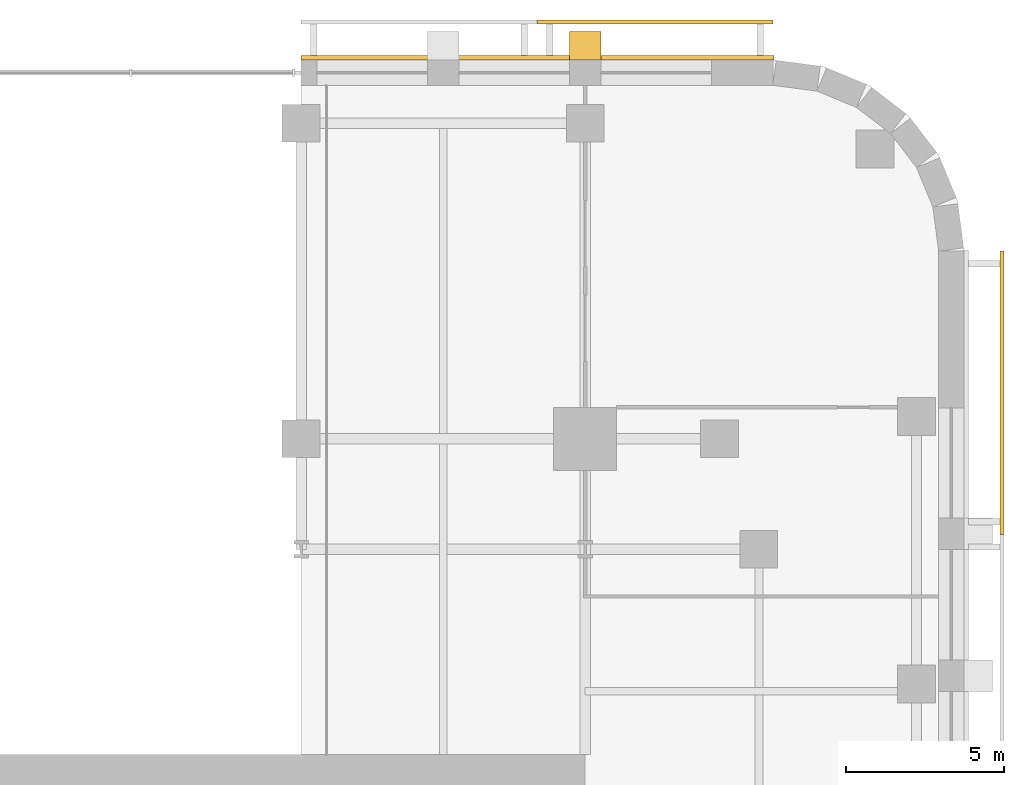
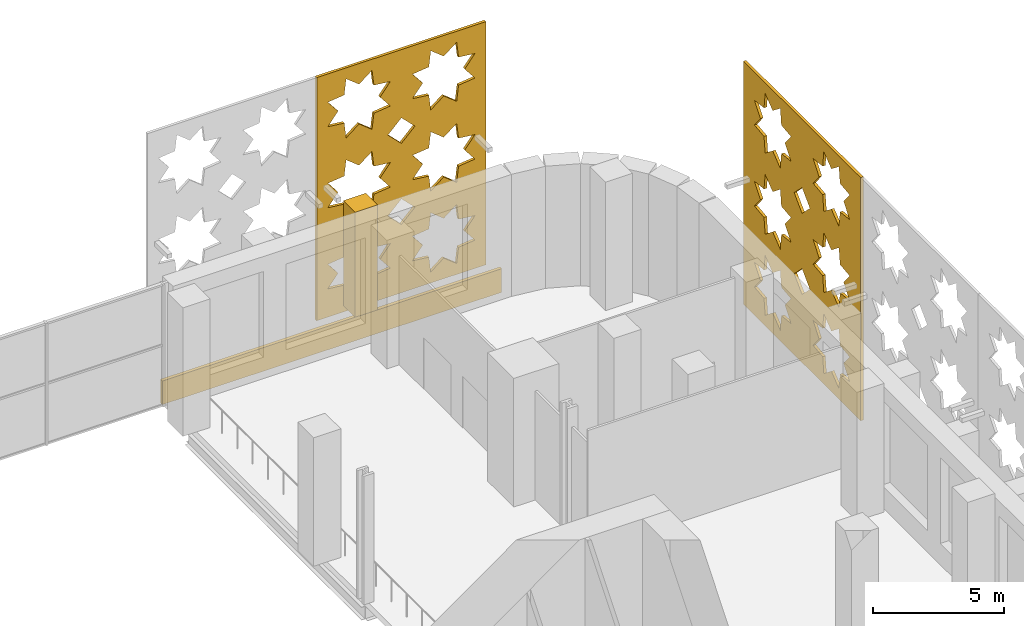
# One storey, part 17 of 17: 4 coverings.
"""IFC4 building model written with IfcOpenShell, lengths in metres."""

from ifc_helpers import new_model, si_unit, direction, frame, origin, place, context, subcontext, project, spatial, polyline, outline, extrude, material, layer, layer_set, type_object, element, save


model = new_model("IFC4")

# Units and contexts
model_context = context("Model", 3, precision=1e-05, world=origin(), true_north=direction((0.0, 1.0)))
body_context = subcontext(model_context, "Body", "Model", "MODEL_VIEW")
ifc_project = project(units=[si_unit("LENGTHUNIT", "METRE"), si_unit("AREAUNIT", "SQUARE_METRE"), si_unit("VOLUMEUNIT", "CUBIC_METRE"), si_unit("PLANEANGLEUNIT", "RADIAN"), si_unit("MASSUNIT", "GRAM", prefix="KILO")], contexts=[model_context])

# Site, building, storey
site_placement = place(None, origin())
site = spatial("IfcSite", under=ifc_project, at=site_placement, CompositionType="ELEMENT")
building_placement = place(site_placement, origin())
building = spatial("IfcBuilding", under=site, at=building_placement, Name="Zellij Exchange Tower", CompositionType="ELEMENT")
storey_placement = place(building_placement, frame((0.0, 0.0, 9.0)))
storey = spatial("IfcBuildingStorey", under=building, at=storey_placement, Name="L01", CompositionType="ELEMENT", Elevation=9.0)

# Coverings
ifc_material_1 = material(Name="Limestone cladding", Category="masonry")
ifc_layer_1 = layer(ifc_material_1, 0.14990234375)
ifc_layer_set_1 = layer_set([ifc_layer_1], Name="Limestone cladding")
covering_type_1 = type_object("IfcCoveringType", Name="ENV-CV1 Stone spandrel band 150", PredefinedType="CLADDING", material=ifc_layer_set_1)
covering_1_placement = place(storey_placement, frame((0.0, 0.0, -0.300048828125)))
element("IfcCovering", 1, at=covering_1_placement, inside=storey, type_object=covering_type_1, Name="Stone spandrel band", PredefinedType="CLADDING", context=body_context, shape_type="SweptSolid", body=[
    extrude(outline(polyline([(32.973876953125, 20.0), (18.0, 20.0), (18.0, 20.14990234375), (32.983642578125, 20.14990234375), (32.973876953125, 20.0)])), origin(), (0.0, 0.0, 1.0), 1.10009765625),
])
covering_type_2 = type_object("IfcCoveringType", Name="ENV-CV2 Stone pier 1000x900", PredefinedType="CLADDING", material=ifc_material_1)
covering_2_placement = place(storey_placement, frame((0.0, 0.0, 0.800048828125)))
element("IfcCovering", 2, at=covering_2_placement, inside=storey, type_object=covering_type_2, Name="Stone pier", PredefinedType="CLADDING", context=body_context, shape_type="SweptSolid", body=[
    extrude(outline(polyline([(27.5, 20.0), (26.5, 20.0), (26.5, 20.89990234375), (27.5, 20.89990234375), (27.5, 20.0)])), origin(), (0.0, 0.0, 1.0), 4.89990234375),
])
ifc_material_2 = material(Name="Limestone screen", Category="masonry")
ifc_layer_2 = layer(ifc_material_2, 0.1201171875)
ifc_layer_set_2 = layer_set([ifc_layer_2], Name="Limestone screen")
covering_type_3 = type_object("IfcCoveringType", Name="ENV-SC1 Pierced stone screen 120", PredefinedType="USERDEFINED", material=ifc_layer_set_2)
covering_3_placement = place(storey_placement, frame((32.947509765625, 21.2099609375, 0.300048828125), z_axis=(0.0, 0.0, 1.0), x_axis=(-1.0, 0.0, 0.0)))
element("IfcCovering", 3, at=covering_3_placement, inside=storey, type_object=covering_type_3, Name="Pierced stone screen", ObjectType="SCREEN", PredefinedType="USERDEFINED", context=body_context, shape_type="SweptSolid", body=[
    extrude(outline(polyline([(0.0, 0.0), (7.473876953125, 0.0), (7.473876953125, 11.35009765625), (0.0, 11.35009765625), (0.0, 0.0)]), holes=[polyline([(3.24951171875, 2.463623046875), (2.523681640625, 2.547119140625), (2.4404296875, 3.272705078125), (1.868408203125, 2.818359375), (1.29638671875, 3.272705078125), (1.213134765625, 2.547119140625), (0.487548828125, 2.463623046875), (0.941650390625, 1.8916015625), (0.487548828125, 1.319580078125), (1.213134765625, 1.236328125), (1.29638671875, 0.5107421875), (1.868408203125, 0.96484375), (2.4404296875, 0.5107421875), (2.523681640625, 1.236328125), (3.24951171875, 1.319580078125), (2.795166015625, 1.8916015625), (3.24951171875, 2.463623046875)]), polyline([(3.24951171875, 6.2470703125), (2.523681640625, 6.330322265625), (2.4404296875, 7.055908203125), (1.868408203125, 6.601806640625), (1.29638671875, 7.055908203125), (1.213134765625, 6.330322265625), (0.487548828125, 6.2470703125), (0.941650390625, 5.675048828125), (0.487548828125, 5.10302734375), (1.213134765625, 5.019775390625), (1.29638671875, 4.2939453125), (1.868408203125, 4.748291015625), (2.4404296875, 4.2939453125), (2.523681640625, 5.019775390625), (3.24951171875, 5.10302734375), (2.795166015625, 5.675048828125), (3.24951171875, 6.2470703125)]), polyline([(3.24951171875, 10.030517578125), (2.523681640625, 10.113525390625), (2.4404296875, 10.83935546875), (1.868408203125, 10.385009765625), (1.29638671875, 10.83935546875), (1.213134765625, 10.113525390625), (0.487548828125, 10.030517578125), (0.941650390625, 9.458251953125), (0.487548828125, 8.88623046875), (1.213134765625, 8.802978515625), (1.29638671875, 8.077392578125), (1.868408203125, 8.531494140625), (2.4404296875, 8.077392578125), (2.523681640625, 8.802978515625), (3.24951171875, 8.88623046875), (2.795166015625, 9.458251953125), (3.24951171875, 10.030517578125)]), polyline([(6.986328125, 2.463623046875), (6.2607421875, 2.547119140625), (6.177490234375, 3.272705078125), (5.605224609375, 2.818359375), (5.033203125, 3.272705078125), (4.949951171875, 2.547119140625), (4.224365234375, 2.463623046875), (4.6787109375, 1.8916015625), (4.224365234375, 1.319580078125), (4.949951171875, 1.236328125), (5.033203125, 0.5107421875), (5.605224609375, 0.96484375), (6.177490234375, 0.5107421875), (6.2607421875, 1.236328125), (6.986328125, 1.319580078125), (6.531982421875, 1.8916015625), (6.986328125, 2.463623046875)]), polyline([(6.986328125, 6.2470703125), (6.2607421875, 6.330322265625), (6.177490234375, 7.055908203125), (5.605224609375, 6.601806640625), (5.033203125, 7.055908203125), (4.949951171875, 6.330322265625), (4.224365234375, 6.2470703125), (4.6787109375, 5.675048828125), (4.224365234375, 5.10302734375), (4.949951171875, 5.019775390625), (5.033203125, 4.2939453125), (5.605224609375, 4.748291015625), (6.177490234375, 4.2939453125), (6.2607421875, 5.019775390625), (6.986328125, 5.10302734375), (6.531982421875, 5.675048828125), (6.986328125, 6.2470703125)]), polyline([(6.986328125, 10.030517578125), (6.2607421875, 10.113525390625), (6.177490234375, 10.83935546875), (5.605224609375, 10.385009765625), (5.033203125, 10.83935546875), (4.949951171875, 10.113525390625), (4.224365234375, 10.030517578125), (4.6787109375, 9.458251953125), (4.224365234375, 8.88623046875), (4.949951171875, 8.802978515625), (5.033203125, 8.077392578125), (5.605224609375, 8.531494140625), (6.177490234375, 8.077392578125), (6.2607421875, 8.802978515625), (6.986328125, 8.88623046875), (6.531982421875, 9.458251953125), (6.986328125, 10.030517578125)]), polyline([(4.334716796875, 3.783203125), (3.73681640625, 4.381103515625), (3.138916015625, 3.783203125), (3.73681640625, 3.185302734375), (4.334716796875, 3.783203125)]), polyline([(4.334716796875, 7.566650390625), (3.73681640625, 8.16455078125), (3.138916015625, 7.566650390625), (3.73681640625, 6.96875), (4.334716796875, 7.566650390625)])]), frame((0.0, 0.06005859375, 0.0), z_axis=(0.0, -1.0, 0.0), x_axis=(1.0, 0.0, 0.0)), (0.0, 0.0, 1.0), 0.1201171875),
])
covering_4_placement = place(storey_placement, frame((40.2099609375, 4.973876953125, 0.300048828125), z_axis=(0.0, 0.0, 1.0), x_axis=(0.0, 1.0, 0.0)))
element("IfcCovering", 4, at=covering_4_placement, inside=storey, type_object=covering_type_3, Name="Pierced stone screen", ObjectType="SCREEN", PredefinedType="USERDEFINED", context=body_context, shape_type="SweptSolid", body=[
    extrude(outline(polyline([(0.0, 0.0), (8.973876953125, 0.0), (8.973876953125, 11.35009765625), (0.0, 11.35009765625), (0.0, 0.0)]), holes=[polyline([(3.6416015625, 2.470703125), (2.906982421875, 2.55517578125), (2.822509765625, 3.289794921875), (2.243408203125, 2.829833984375), (1.664306640625, 3.289794921875), (1.580078125, 2.55517578125), (0.84521484375, 2.470703125), (1.30517578125, 1.8916015625), (0.84521484375, 1.3125), (1.580078125, 1.228271484375), (1.664306640625, 0.493408203125), (2.243408203125, 0.953369140625), (2.822509765625, 0.493408203125), (2.906982421875, 1.228271484375), (3.6416015625, 1.3125), (3.181640625, 1.8916015625), (3.6416015625, 2.470703125)]), polyline([(3.6416015625, 6.254150390625), (2.906982421875, 6.33837890625), (2.822509765625, 7.072998046875), (2.243408203125, 6.61328125), (1.664306640625, 7.072998046875), (1.580078125, 6.33837890625), (0.84521484375, 6.254150390625), (1.30517578125, 5.675048828125), (0.84521484375, 5.095947265625), (1.580078125, 5.011474609375), (1.664306640625, 4.27685546875), (2.243408203125, 4.73681640625), (2.822509765625, 4.27685546875), (2.906982421875, 5.011474609375), (3.6416015625, 5.095947265625), (3.181640625, 5.675048828125), (3.6416015625, 6.254150390625)]), polyline([(3.6416015625, 10.03759765625), (2.906982421875, 10.121826171875), (2.822509765625, 10.8564453125), (2.243408203125, 10.396484375), (1.664306640625, 10.8564453125), (1.580078125, 10.121826171875), (0.84521484375, 10.03759765625), (1.30517578125, 9.458251953125), (0.84521484375, 8.879150390625), (1.580078125, 8.794921875), (1.664306640625, 8.060302734375), (2.243408203125, 8.52001953125), (2.822509765625, 8.060302734375), (2.906982421875, 8.794921875), (3.6416015625, 8.879150390625), (3.181640625, 9.458251953125), (3.6416015625, 10.03759765625)]), polyline([(8.12841796875, 2.470703125), (7.393798828125, 2.55517578125), (7.3095703125, 3.289794921875), (6.730224609375, 2.829833984375), (6.151123046875, 3.289794921875), (6.06689453125, 2.55517578125), (5.332275390625, 2.470703125), (5.7919921875, 1.8916015625), (5.332275390625, 1.3125), (6.06689453125, 1.228271484375), (6.151123046875, 0.493408203125), (6.730224609375, 0.953369140625), (7.3095703125, 0.493408203125), (7.393798828125, 1.228271484375), (8.12841796875, 1.3125), (7.668701171875, 1.8916015625), (8.12841796875, 2.470703125)]), polyline([(8.12841796875, 6.254150390625), (7.393798828125, 6.33837890625), (7.3095703125, 7.072998046875), (6.730224609375, 6.61328125), (6.151123046875, 7.072998046875), (6.06689453125, 6.33837890625), (5.332275390625, 6.254150390625), (5.7919921875, 5.675048828125), (5.332275390625, 5.095947265625), (6.06689453125, 5.011474609375), (6.151123046875, 4.27685546875), (6.730224609375, 4.73681640625), (7.3095703125, 4.27685546875), (7.393798828125, 5.011474609375), (8.12841796875, 5.095947265625), (7.668701171875, 5.675048828125), (8.12841796875, 6.254150390625)]), polyline([(8.12841796875, 10.03759765625), (7.393798828125, 10.121826171875), (7.3095703125, 10.8564453125), (6.730224609375, 10.396484375), (6.151123046875, 10.8564453125), (6.06689453125, 10.121826171875), (5.332275390625, 10.03759765625), (5.7919921875, 9.458251953125), (5.332275390625, 8.879150390625), (6.06689453125, 8.794921875), (6.151123046875, 8.060302734375), (6.730224609375, 8.52001953125), (7.3095703125, 8.060302734375), (7.393798828125, 8.794921875), (8.12841796875, 8.879150390625), (7.668701171875, 9.458251953125), (8.12841796875, 10.03759765625)]), polyline([(5.09228515625, 3.783203125), (4.48681640625, 4.388671875), (3.881591796875, 3.783203125), (4.48681640625, 3.177978515625), (5.09228515625, 3.783203125)]), polyline([(5.09228515625, 7.566650390625), (4.48681640625, 8.172119140625), (3.881591796875, 7.566650390625), (4.48681640625, 6.961181640625), (5.09228515625, 7.566650390625)])]), frame((0.0, 0.06005859375, 0.0), z_axis=(0.0, -1.0, 0.0), x_axis=(1.0, 0.0, 0.0)), (0.0, 0.0, 1.0), 0.1201171875),
])

save(model, "model.ifc")
